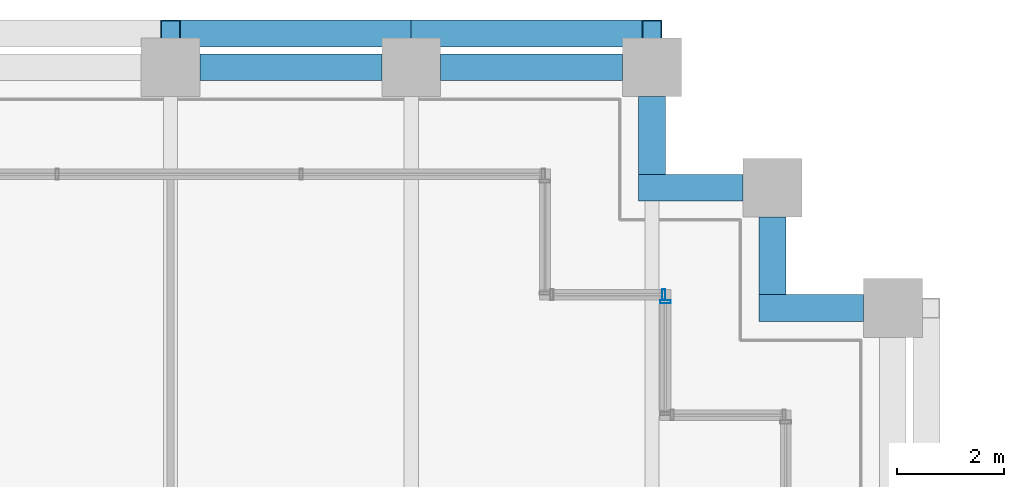
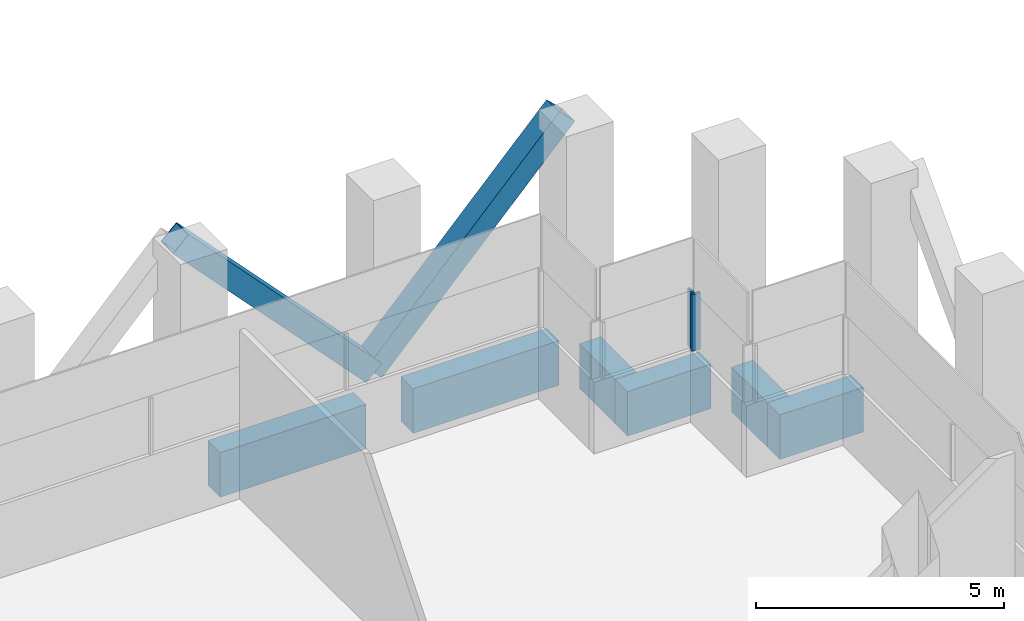
# One storey, part 23 of 44: 6 beams, 4 members, 2 elements without a shape of their own.
"""IFC4 building model written with IfcOpenShell, lengths in metres."""

import ifcopenshell
import ifcopenshell.guid

model = None  # the IFC model being written
_history = None  # IfcOwnerHistory: only IFC2X3 demands one
_inside = {}  # id of a spatial element -> (the spatial element, [elements in it])
_under = {}  # id of a project, library or spatial element -> (it, [spatial elements below it])
_declared = {}  # id of a project -> (the project, [libraries it declares])
_typed = {}  # id of a type object -> (the type object, [elements of that type])
_made_of = {}  # id of a material, layer set ... -> (it, [elements and type objects made of it])


def new_model(schema):
    """Start an empty IFC model of exactly this schema.

    Asked for "IFC4X3", IfcOpenShell would pick the latest addendum, in which some entities
    have other attributes; the version numbers below select the first issue.
    IFC2X3 requires an IfcOwnerHistory on every rooted entity: one is made here for all.
    """
    global model, _history
    if schema == "IFC4X3":
        model = ifcopenshell.file(schema_version=(4, 3, 0, 0))
    else:
        model = ifcopenshell.file(schema=schema)
    _inside.clear()
    _under.clear()
    _declared.clear()
    _typed.clear()
    _made_of.clear()
    _history = None
    if model.schema == "IFC2X3":
        org = make("IfcOrganization", Name="unknown")
        user = make(
            "IfcPersonAndOrganization",
            ThePerson=make("IfcPerson", FamilyName="unknown"),
            TheOrganization=org,
        )
        app = make(
            "IfcApplication",
            ApplicationDeveloper=org,
            Version="unknown",
            ApplicationFullName="unknown",
            ApplicationIdentifier="unknown",
        )
        _history = make(
            "IfcOwnerHistory",
            OwningUser=user,
            OwningApplication=app,
            ChangeAction="ADDED",
            CreationDate=0,
        )
    return model


def make(cls, **values):
    """One entity of the class cls with the attributes given. An attribute that is None is left unset."""
    return model.create_entity(
        cls, **{name: value for name, value in values.items() if value is not None}
    )


def rooted(cls, **values):
    """An entity with a GlobalId (a new one), such as an element, a storey or a relation."""
    return make(cls, GlobalId=ifcopenshell.guid.new(), OwnerHistory=_history, **values)


def si_unit(unit_type, name, prefix=None):
    """IfcSIUnit, for example si_unit("LENGTHUNIT", "METRE", prefix="MILLI")."""
    return make("IfcSIUnit", UnitType=unit_type, Prefix=prefix, Name=name)


def assignment(units):
    """IfcUnitAssignment: the units of a project."""
    return None if units is None else make("IfcUnitAssignment", Units=units)


def point(xyz):
    """IfcCartesianPoint."""
    return None if xyz is None else make("IfcCartesianPoint", Coordinates=xyz)


def direction(xyz):
    """IfcDirection."""
    return None if xyz is None else make("IfcDirection", DirectionRatios=xyz)


def frame(location, z_axis=None, x_axis=None):
    """IfcAxis2Placement3D, a coordinate frame: its origin and axes. An axis left out is left unset."""
    return make(
        "IfcAxis2Placement3D",
        Location=point(location),
        Axis=direction(z_axis),
        RefDirection=direction(x_axis),
    )


def frame_2d(location, x_axis=None):
    """IfcAxis2Placement2D, a coordinate frame in the plane: its origin and x axis."""
    return make(
        "IfcAxis2Placement2D", Location=point(location), RefDirection=direction(x_axis)
    )


def origin():
    """The frame at (0, 0, 0) with its axes left unset."""
    return frame((0.0, 0.0, 0.0))


def origin_2d():
    """The frame at (0, 0) in the plane with its x axis left unset."""
    return frame_2d((0.0, 0.0))


def place(relative_to, where):
    """IfcLocalPlacement: puts the frame where relative to a parent placement (None: the world)."""
    return make(
        "IfcLocalPlacement", PlacementRelTo=relative_to, RelativePlacement=where
    )


def context(
    kind, dimensions, precision=None, world=None, true_north=None, identifier=None
):
    """IfcGeometricRepresentationContext, for example the 3D "Model" context."""
    return make(
        "IfcGeometricRepresentationContext",
        ContextIdentifier=identifier,
        ContextType=kind,
        CoordinateSpaceDimension=dimensions,
        Precision=precision,
        WorldCoordinateSystem=world,
        TrueNorth=true_north,
    )


def subcontext(parent, identifier, kind, view, scale=None):
    """IfcGeometricRepresentationSubContext, for example "Body" below "Model"."""
    return make(
        "IfcGeometricRepresentationSubContext",
        ContextIdentifier=identifier,
        ContextType=kind,
        ParentContext=parent,
        TargetScale=scale,
        TargetView=view,
    )


def project(units=None, contexts=None):
    """IfcProject with its units and contexts."""
    return rooted(
        "IfcProject",
        Name="project",
        RepresentationContexts=contexts,
        UnitsInContext=assignment(units),
    )


def spatial(cls, under=None, at=None, **own):
    """A site, building, storey or space (cls), placed at a placement, below another one or the project."""
    s = rooted(cls, ObjectPlacement=at, **own)
    if under is not None:
        _under.setdefault(under.id(), (under, []))[1].append(s)
    return s


def profile(cls, at=None, kind="AREA", **sizes):
    """A parametric profile (cls). Its sizes go by their IFC names, for example OverallWidth=200.0."""
    return make(cls, ProfileType=kind, Position=at, **sizes)


def rectangle(**sizes):
    """IfcRectangleProfileDef."""
    return profile("IfcRectangleProfileDef", **sizes)


def hollow_rectangle(**sizes):
    """IfcRectangleHollowProfileDef."""
    return profile("IfcRectangleHollowProfileDef", **sizes)


def extrude(swept, where, along, depth):
    """IfcExtrudedAreaSolid: the profile swept, set in the frame where, extruded along a direction by depth."""
    return make(
        "IfcExtrudedAreaSolid",
        SweptArea=swept,
        Position=where,
        ExtrudedDirection=direction(along),
        Depth=depth,
    )


def shape(context_of_items, identifier, shape_type, items):
    """IfcShapeRepresentation: the items that make up one representation, for example the "Body"."""
    return make(
        "IfcShapeRepresentation",
        ContextOfItems=context_of_items,
        RepresentationIdentifier=identifier,
        RepresentationType=shape_type,
        Items=items,
    )


def material(Name=None, Category=None):
    """IfcMaterial."""
    return make("IfcMaterial", Name=Name, Category=Category)


def material_profile(
    of_material, cross_section, Name=None, Category=None, Priority=None
):
    """IfcMaterialProfile: a cross section and its material."""
    return make(
        "IfcMaterialProfile",
        Name=Name,
        Material=of_material,
        Profile=cross_section,
        Priority=Priority,
        Category=Category,
    )


def profile_set(profiles, Name=None, composite=None):
    """IfcMaterialProfileSet."""
    return make(
        "IfcMaterialProfileSet",
        Name=Name,
        MaterialProfiles=profiles,
        CompositeProfile=composite,
    )


def made_of(thing, what):
    """Note that an element or type object is made of a material, layer set ...; save() writes the relation."""
    if what is not None:
        _made_of.setdefault(what.id(), (what, []))[1].append(thing)
    return thing


def type_object(cls, material=None, **own):
    """A type object (cls), such as IfcWallType, which elements share."""
    return made_of(rooted(cls, **own), material)


def element(
    cls,
    number,
    at=None,
    inside=None,
    cuts=None,
    type_object=None,
    material=None,
    context=None,
    identifier="Body",
    shape_type=None,
    held_by="IfcProductDefinitionShape",
    body=None,
    shapes=None,
    **own,
):
    """One element of the class cls, such as IfcWall. Its Tag is "e" and its number.

    at: its placement. inside: the storey or other place that contains it. cuts: it is an
    opening in that element (IfcRelVoidsElement). A single representation is given by context,
    identifier, shape_type and body (its items); several are given by shapes. held_by: the class
    of the entity that holds the representations. save() writes the other relations.
    """
    e = rooted(cls, Tag="e%d" % number, ObjectPlacement=at, **own)
    if body is not None:
        shapes = [shape(context, identifier, shape_type, body)]
    if shapes is not None:
        e.Representation = make(held_by, Representations=shapes)
    if inside is not None:
        _inside.setdefault(inside.id(), (inside, []))[1].append(e)
    if cuts is not None:
        rooted(
            "IfcRelVoidsElement", RelatingBuildingElement=cuts, RelatedOpeningElement=e
        )
    if type_object is not None:
        _typed.setdefault(type_object.id(), (type_object, []))[1].append(e)
    return made_of(e, material)


def aggregate(whole, parts):
    """IfcRelAggregates: a whole, such as a stair, and the parts it consists of."""
    return rooted("IfcRelAggregates", RelatingObject=whole, RelatedObjects=parts)


def save(model, path):
    """Write the relations noted so far, then the file.

    IfcRelAggregates (storeys below a building ...), IfcRelContainedInSpatialStructure (elements
    in a storey), IfcRelDefinesByType, IfcRelAssociatesMaterial and IfcRelDeclares: one each for
    every whole, place, type object, material and project.
    """
    for whole, parts in _under.values():
        aggregate(whole, parts)
    for where, things in _inside.values():
        rooted(
            "IfcRelContainedInSpatialStructure",
            RelatedElements=things,
            RelatingStructure=where,
        )
    for kind, things in _typed.values():
        rooted("IfcRelDefinesByType", RelatedObjects=things, RelatingType=kind)
    for what, things in _made_of.values():
        rooted("IfcRelAssociatesMaterial", RelatedObjects=things, RelatingMaterial=what)
    for by, libraries in _declared.values():
        rooted("IfcRelDeclares", RelatingContext=by, RelatedDefinitions=libraries)
    model.write(path)


model = new_model("IFC4")

# Units and contexts
model_context = context("Model", 3, precision=1e-05, world=origin(), true_north=direction((0.0, 1.0)))
body_context = subcontext(model_context, "Body", "Model", "MODEL_VIEW")
ifc_project = project(units=[si_unit("LENGTHUNIT", "METRE"), si_unit("AREAUNIT", "SQUARE_METRE"), si_unit("VOLUMEUNIT", "CUBIC_METRE"), si_unit("PLANEANGLEUNIT", "RADIAN"), si_unit("MASSUNIT", "GRAM", prefix="KILO")], contexts=[model_context])

# Site, building, storey
site_placement = place(None, origin())
site = spatial("IfcSite", under=ifc_project, at=site_placement, CompositionType="ELEMENT")
building_placement = place(site_placement, origin())
building = spatial("IfcBuilding", under=site, at=building_placement, Name="Altepetl Exchange Towers", CompositionType="ELEMENT")
storey_placement = place(building_placement, frame((0.0, 0.0, 87.0)))
storey = spatial("IfcBuildingStorey", under=building, at=storey_placement, Name="L21 Refuge", CompositionType="ELEMENT", Elevation=87.0)

# Members
ifc_material_1 = material(Name="Steel S355", Category="steel")
ifc_material_profile_1 = material_profile(ifc_material_1, hollow_rectangle(XDim=0.508056640625, YDim=0.508056640625, WallThickness=0.017578125, at=origin_2d()), Name="HSS508X508X19.0")
ifc_profile_set_1 = profile_set([ifc_material_profile_1], Name="Steel S355")
member_type_1 = type_object("IfcMemberType", Name="Belt diagonal HSS508X508X19.0", PredefinedType="BRACE", material=ifc_profile_set_1)
for number, where, z_axis, x_axis, name in (
    (1, (67.5, 72.6298828125, 4.75), (-0.687744647911, 0.0, -0.725952683906), (0.0, -1.0, 0.0), "brc:A:L21:013"),
    (2, (63.0, 72.6298828125, 0.0), (-0.687744647911, 0.0, 0.725952683906), (0.0, -1.0, 0.0), "brc:A:L21:014"),
):
    element("IfcMember", number, at=place(storey_placement, frame(where, z_axis=z_axis, x_axis=x_axis)), inside=storey, type_object=member_type_1, Name=name, PredefinedType="BRACE", context=body_context, shape_type="SweptSolid", body=[
        extrude(hollow_rectangle(XDim=0.508056640625, YDim=0.508056640625, WallThickness=0.017578125, at=origin_2d()), origin(), (0.0, 0.0, 1.0), 6.543212890625),
    ])

# Curtain wall, member
ifc_material_2 = material(Name="Aluminium 6063-T6 glazing", Category="aluminium")
curtain_wall_type = type_object("IfcCurtainWallType", Name="Refuge slit glazing system", PredefinedType="NOTDEFINED", material=ifc_material_2)
curtain_wall_1_placement = place(storey_placement, origin())
curtain_wall_1 = element("IfcCurtainWall", 3, at=curtain_wall_1_placement, inside=storey, type_object=curtain_wall_type, Name="CW3 run", PredefinedType="NOTDEFINED")
ifc_material_3 = material(Name="Aluminium 6063-T6", Category="aluminium")
ifc_material_profile_2 = material_profile(ifc_material_3, hollow_rectangle(XDim=0.06005859375, YDim=0.199951171875, WallThickness=0.0029296875, at=origin_2d()), Name="Mullion 60x200 aluminium")
ifc_profile_set_2 = profile_set([ifc_material_profile_2], Name="Aluminium 6063-T6")
member_type_2 = type_object("IfcMemberType", Name="Mullion 60x200 aluminium", PredefinedType="MULLION", material=ifc_profile_set_2)
member_1_placement = place(storey_placement, frame((67.75, 67.6201171875, 1.800048828125), z_axis=(0.0, 0.0, 1.0), x_axis=(0.0, 1.0, 0.0)))
member_1 = element("IfcMember", 4, at=member_1_placement, type_object=member_type_2, Name="MU2 mullion", PredefinedType="MULLION", context=body_context, shape_type="SweptSolid", body=[
    extrude(hollow_rectangle(XDim=0.06005859375, YDim=0.199951171875, WallThickness=0.0029296875, at=origin_2d()), origin(), (0.0, 0.0, 1.0), 1.39990234375),
])
aggregate(curtain_wall_1, [member_1])

curtain_wall_2_placement = place(storey_placement, origin())
curtain_wall_2 = element("IfcCurtainWall", 5, at=curtain_wall_2_placement, inside=storey, type_object=curtain_wall_type, Name="CW3 run", PredefinedType="NOTDEFINED")
member_2_placement = place(storey_placement, frame((67.719970703125, 67.75, 1.800048828125), z_axis=(0.0, 0.0, 1.0), x_axis=(-1.0, 0.0, 0.0)))
member_2 = element("IfcMember", 6, at=member_2_placement, type_object=member_type_2, Name="MU2 mullion", PredefinedType="MULLION", context=body_context, shape_type="SweptSolid", body=[
    extrude(hollow_rectangle(XDim=0.06005859375, YDim=0.199951171875, WallThickness=0.0029296875, at=origin_2d()), origin(), (0.0, 0.0, 1.0), 1.39990234375),
])
aggregate(curtain_wall_2, [member_2])

# Beams
ifc_material_4 = material(Name="Concrete C50/60 precast with cantera rosa facing", Category="concrete")
ifc_material_profile_3 = material_profile(ifc_material_4, rectangle(XDim=0.5, YDim=1.10009765625, at=origin_2d()), Name="500 x 1100")
ifc_profile_set_3 = profile_set([ifc_material_profile_3], Name="Concrete C50/60 precast with cantera rosa facing")
beam_type = type_object("IfcBeamType", Name="Spandrel beam 500x1100 cantera rosa", PredefinedType="SPANDREL", material=ifc_profile_set_3)
beam_1_placement = place(storey_placement, frame((71.449951171875, 67.5, -0.75), z_axis=(-1.0, 0.0, 0.0), x_axis=(0.0, -1.0, 0.0)))
element("IfcBeam", 7, at=beam_1_placement, inside=storey, type_object=beam_type, Name="sp:A:L21:020", PredefinedType="SPANDREL", context=body_context, shape_type="SweptSolid", body=[
    extrude(rectangle(XDim=0.5, YDim=1.10009765625, at=origin_2d()), origin(), (0.0, 0.0, 1.0), 1.949951171875),
])
beam_2_placement = place(storey_placement, frame((69.75, 67.75, -0.75), z_axis=(0.0, 1.0, 0.0), x_axis=(-1.0, 0.0, 0.0)))
element("IfcBeam", 8, at=beam_2_placement, inside=storey, type_object=beam_type, Name="sp:A:L21:021", PredefinedType="SPANDREL", context=body_context, shape_type="SweptSolid", body=[
    extrude(rectangle(XDim=0.5, YDim=1.10009765625, at=origin_2d()), origin(), (0.0, 0.0, 1.0), 1.449951171875),
])
beam_3_placement = place(storey_placement, frame((69.199951171875, 69.75, -0.75), z_axis=(-1.0, 0.0, 0.0), x_axis=(0.0, -1.0, 0.0)))
element("IfcBeam", 9, at=beam_3_placement, inside=storey, type_object=beam_type, Name="sp:A:L21:022", PredefinedType="SPANDREL", context=body_context, shape_type="SweptSolid", body=[
    extrude(rectangle(XDim=0.5, YDim=1.10009765625, at=origin_2d()), origin(), (0.0, 0.0, 1.0), 1.949951171875),
])
beam_4_placement = place(storey_placement, frame((67.5, 70.0, -0.75), z_axis=(0.0, 1.0, 0.0), x_axis=(-1.0, 0.0, 0.0)))
element("IfcBeam", 10, at=beam_4_placement, inside=storey, type_object=beam_type, Name="sp:A:L21:023", PredefinedType="SPANDREL", context=body_context, shape_type="SweptSolid", body=[
    extrude(rectangle(XDim=0.5, YDim=1.10009765625, at=origin_2d()), origin(), (0.0, 0.0, 1.0), 1.449951171875),
])
for number, where, z_axis, x_axis, name in (
    (11, (66.949951171875, 72.0, -0.75), (-1.0, 0.0, 0.0), (0.0, -1.0, 0.0), "sp:A:L21:024"),
    (12, (62.449951171875, 72.0, -0.75), (-1.0, 0.0, 0.0), (0.0, -1.0, 0.0), "sp:A:L21:025"),
):
    element("IfcBeam", number, at=place(storey_placement, frame(where, z_axis=z_axis, x_axis=x_axis)), inside=storey, type_object=beam_type, Name=name, PredefinedType="SPANDREL", context=body_context, shape_type="SweptSolid", body=[
        extrude(rectangle(XDim=0.5, YDim=1.10009765625, at=origin_2d()), origin(), (0.0, 0.0, 1.0), 3.39990234375),
    ])

save(model, "model.ifc")
